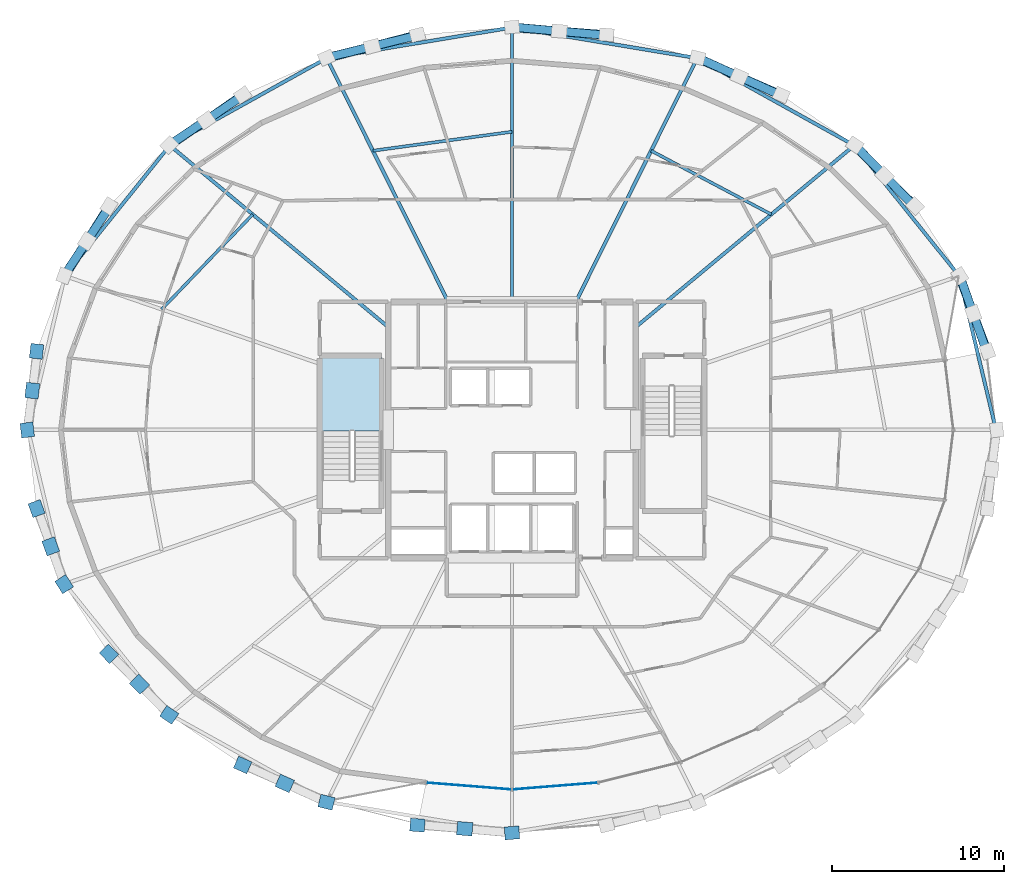
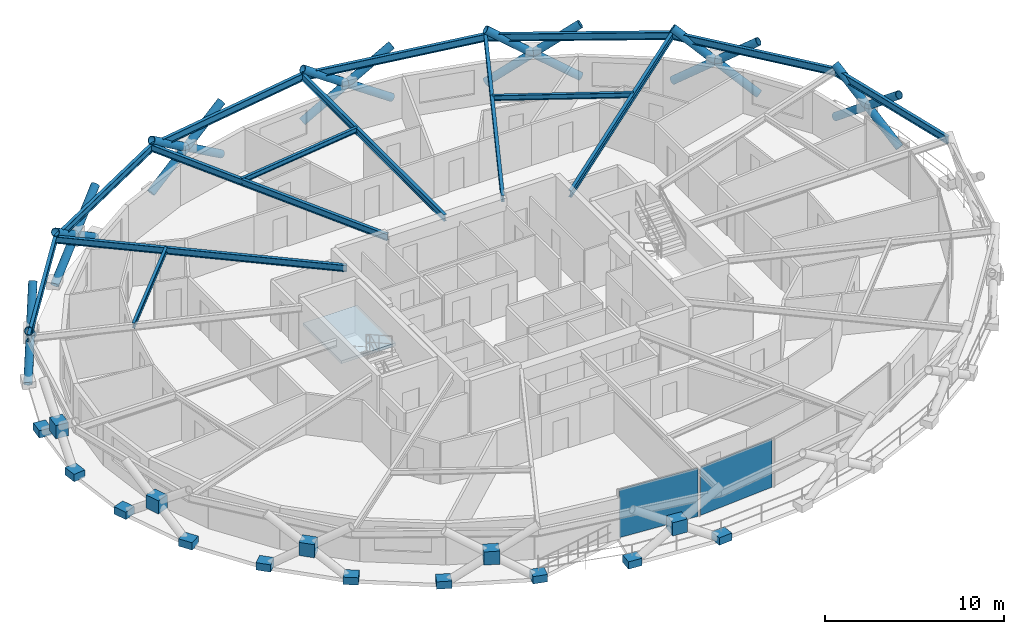
# One storey, part 12 of 19: 21 members, 17 plates, 15 beams, 1 slab, 2 elements without a shape of their own.
"""IFC4 building model written with IfcOpenShell, lengths in metres."""

from ifc_helpers import new_model, si_unit, direction, frame, origin, origin_2d, place, context, subcontext, project, spatial, polyline, rectangle, hollow_circle, i_section, outline, extrude, material, layer, layer_set, material_profile, profile_set, type_object, element, aggregate, save


model = new_model("IFC4")

# Units and contexts
model_context = context("Model", 3, precision=1e-05, world=origin(), true_north=direction((0.0, 1.0)))
body_context = subcontext(model_context, "Body", "Model", "MODEL_VIEW")
ifc_project = project(units=[si_unit("LENGTHUNIT", "METRE"), si_unit("AREAUNIT", "SQUARE_METRE"), si_unit("VOLUMEUNIT", "CUBIC_METRE"), si_unit("PLANEANGLEUNIT", "RADIAN"), si_unit("MASSUNIT", "GRAM", prefix="KILO")], contexts=[model_context])

# Site, building, storey
site_placement = place(None, origin())
site = spatial("IfcSite", under=ifc_project, at=site_placement, CompositionType="ELEMENT")
building_placement = place(site_placement, origin())
building = spatial("IfcBuilding", under=site, at=building_placement, Name="Veldorina Hangang Commons", CompositionType="ELEMENT")
storey_placement = place(building_placement, frame((0.0, 0.0, 160.39990234375)))
storey = spatial("IfcBuildingStorey", under=building, at=storey_placement, Name="L41", CompositionType="ELEMENT", Elevation=160.39990234375)

# Beams
ifc_material_1 = material(Name="Steel SM355-TMC", Category="steel")
ifc_material_profile_1 = material_profile(ifc_material_1, i_section(OverallWidth=0.199951171875, OverallDepth=0.449951171875, WebThickness=0.009033203125, FlangeThickness=0.013916015625, FilletRadius=0.01611328125, at=origin_2d()), Name="H-450x200x9x14")
ifc_profile_set_1 = profile_set([ifc_material_profile_1], Name="Steel SM355-TMC")
beam_type_1 = type_object("IfcBeamType", Name="BM-FG450", PredefinedType="BEAM", material=ifc_profile_set_1)
beam_1_placement = place(storey_placement, frame((39.199951171875, 29.986328125, 3.125), z_axis=(0.768935425867, 0.639326450921, 0.0), x_axis=(-0.639326450921, 0.768935425867, 0.0)))
element("IfcBeam", 1, at=beam_1_placement, inside=storey, type_object=beam_type_1, Name="L41 radial floor girder 03", PredefinedType="BEAM", context=body_context, shape_type="SweptSolid", body=[
    extrude(i_section(OverallWidth=0.199951171875, OverallDepth=0.449951171875, WebThickness=0.009033203125, FlangeThickness=0.013916015625, FilletRadius=0.01611328125, at=origin_2d()), origin(), (0.0, 0.0, 1.0), 16.521728515625),
])
beam_2_placement = place(storey_placement, frame((35.71142578125, 31.449951171875, 3.125), z_axis=(0.445924128042, 0.8950707637, 0.0), x_axis=(-0.8950707637, 0.445924128042, 0.0)))
element("IfcBeam", 2, at=beam_2_placement, inside=storey, type_object=beam_type_1, Name="L41 radial floor girder 04", PredefinedType="BEAM", context=body_context, shape_type="SweptSolid", body=[
    extrude(i_section(OverallWidth=0.199951171875, OverallDepth=0.449951171875, WebThickness=0.009033203125, FlangeThickness=0.013916015625, FilletRadius=0.01611328125, at=origin_2d()), origin(), (0.0, 0.0, 1.0), 15.833984375),
])
beam_3_placement = place(storey_placement, frame((32.0, 31.449951171875, 3.125), z_axis=(0.0, 1.0, 0.0), x_axis=(-1.0, 0.0, 0.0)))
element("IfcBeam", 3, at=beam_3_placement, inside=storey, type_object=beam_type_1, Name="L41 radial floor girder 05", PredefinedType="BEAM", context=body_context, shape_type="SweptSolid", body=[
    extrude(i_section(OverallWidth=0.199951171875, OverallDepth=0.449951171875, WebThickness=0.009033203125, FlangeThickness=0.013916015625, FilletRadius=0.01611328125, at=origin_2d()), origin(), (0.0, 0.0, 1.0), 15.9541015625),
])
beam_4_placement = place(storey_placement, frame((28.28857421875, 31.449951171875, 3.125), z_axis=(-0.445924128042, 0.8950707637, 0.0), x_axis=(-0.8950707637, -0.445924128042, 0.0)))
element("IfcBeam", 4, at=beam_4_placement, inside=storey, type_object=beam_type_1, Name="L41 radial floor girder 06", PredefinedType="BEAM", context=body_context, shape_type="SweptSolid", body=[
    extrude(i_section(OverallWidth=0.199951171875, OverallDepth=0.449951171875, WebThickness=0.009033203125, FlangeThickness=0.013916015625, FilletRadius=0.01611328125, at=origin_2d()), origin(), (0.0, 0.0, 1.0), 15.833984375),
])
beam_5_placement = place(storey_placement, frame((24.800048828125, 29.986328125, 3.125), z_axis=(-0.768935425867, 0.639326450921, 0.0), x_axis=(-0.639326450921, -0.768935425867, 0.0)))
element("IfcBeam", 5, at=beam_5_placement, inside=storey, type_object=beam_type_1, Name="L41 radial floor girder 07", PredefinedType="BEAM", context=body_context, shape_type="SweptSolid", body=[
    extrude(i_section(OverallWidth=0.199951171875, OverallDepth=0.449951171875, WebThickness=0.009033203125, FlangeThickness=0.013916015625, FilletRadius=0.01611328125, at=origin_2d()), origin(), (0.0, 0.0, 1.0), 16.521728515625),
])
ifc_material_profile_2 = material_profile(ifc_material_1, i_section(OverallWidth=0.175048828125, OverallDepth=0.35009765625, WebThickness=0.007080078125, FlangeThickness=0.010986328125, FilletRadius=0.012939453125, at=origin_2d()), Name="H-350x175x7x11")
ifc_profile_set_2 = profile_set([ifc_material_profile_2], Name="Steel SM355-TMC")
beam_type_2 = type_object("IfcBeamType", Name="BM-JST350", PredefinedType="JOIST", material=ifc_profile_set_2)
beam_6_placement = place(storey_placement, frame((47.076416015625, 36.535400390625, 3.175048828125), z_axis=(-0.883657203351, 0.468134539385, 0.0), x_axis=(-0.468134539385, -0.883657203351, 0.0)))
element("IfcBeam", 6, at=beam_6_placement, inside=storey, type_object=beam_type_2, Name="L41 secondary floor joist 03", PredefinedType="JOIST", context=body_context, shape_type="SweptSolid", body=[
    extrude(i_section(OverallWidth=0.175048828125, OverallDepth=0.35009765625, WebThickness=0.007080078125, FlangeThickness=0.010986328125, FilletRadius=0.012939453125, at=origin_2d()), origin(), (0.0, 0.0, 1.0), 7.9072265625),
])
beam_7_placement = place(storey_placement, frame((32.0, 41.341552734375, 3.175048828125), z_axis=(-0.990806678814, -0.135285347386, 0.0), x_axis=(0.135285347386, -0.990806678814, 0.0)))
element("IfcBeam", 7, at=beam_7_placement, inside=storey, type_object=beam_type_2, Name="L41 secondary floor joist 05", PredefinedType="JOIST", context=body_context, shape_type="SweptSolid", body=[
    extrude(i_section(OverallWidth=0.175048828125, OverallDepth=0.35009765625, WebThickness=0.007080078125, FlangeThickness=0.010986328125, FilletRadius=0.012939453125, at=origin_2d()), origin(), (0.0, 0.0, 1.0), 8.1640625),
])
beam_8_placement = place(storey_placement, frame((16.923583984375, 36.535400390625, 3.175048828125), z_axis=(-0.692337131341, -0.721574179532, 0.0), x_axis=(0.721574179532, -0.692337131341, 0.0)))
element("IfcBeam", 8, at=beam_8_placement, inside=storey, type_object=beam_type_2, Name="L41 secondary floor joist 07", PredefinedType="JOIST", context=body_context, shape_type="SweptSolid", body=[
    extrude(i_section(OverallWidth=0.175048828125, OverallDepth=0.35009765625, WebThickness=0.007080078125, FlangeThickness=0.010986328125, FilletRadius=0.012939453125, at=origin_2d()), origin(), (0.0, 0.0, 1.0), 7.64892578125),
])
ifc_material_2 = material(Name="Steel SM420-TMC", Category="steel")
ifc_material_profile_3 = material_profile(ifc_material_2, i_section(OverallWidth=0.199951171875, OverallDepth=0.5, WebThickness=0.010009765625, FlangeThickness=0.01611328125, FilletRadius=0.01611328125, at=origin_2d()), Name="H-500x200x10x16")
ifc_profile_set_3 = profile_set([ifc_material_profile_3], Name="Steel SM420-TMC")
beam_type_3 = type_object("IfcBeamType", Name="BM-RB500", PredefinedType="BEAM", material=ifc_profile_set_3)
beam_9_placement = place(storey_placement, frame((60.148681640625, 24.0, 3.10009765625), z_axis=(-0.232660981985, 0.972557899285, 0.0), x_axis=(-0.972557899285, -0.232660981985, 0.0)))
element("IfcBeam", 9, at=beam_9_placement, inside=storey, type_object=beam_type_3, Name="L41 perimeter hoop ring beam 00", PredefinedType="BEAM", context=body_context, shape_type="SweptSolid", body=[
    extrude(i_section(OverallWidth=0.199951171875, OverallDepth=0.5, WebThickness=0.010009765625, FlangeThickness=0.01611328125, FilletRadius=0.01611328125, at=origin_2d()), origin(), (0.0, 0.0, 1.0), 9.208984375),
])
beam_10_placement = place(storey_placement, frame((58.006103515625, 32.956298828125, 3.10009765625), z_axis=(-0.626435707691, 0.77947309391, 0.0), x_axis=(-0.77947309391, -0.626435707691, 0.0)))
element("IfcBeam", 10, at=beam_10_placement, inside=storey, type_object=beam_type_3, Name="L41 perimeter hoop ring beam 02", PredefinedType="BEAM", context=body_context, shape_type="SweptSolid", body=[
    extrude(i_section(OverallWidth=0.199951171875, OverallDepth=0.5, WebThickness=0.010009765625, FlangeThickness=0.01611328125, FilletRadius=0.01611328125, at=origin_2d()), origin(), (0.0, 0.0, 1.0), 9.740966796875),
])
beam_11_placement = place(storey_placement, frame((51.904052734375, 40.549072265625, 3.10009765625), z_axis=(-0.874147354533, 0.485660789609, 0.0), x_axis=(-0.485660789609, -0.874147354533, 0.0)))
element("IfcBeam", 11, at=beam_11_placement, inside=storey, type_object=beam_type_3, Name="L41 perimeter hoop ring beam 04", PredefinedType="BEAM", context=body_context, shape_type="SweptSolid", body=[
    extrude(i_section(OverallWidth=0.199951171875, OverallDepth=0.5, WebThickness=0.010009765625, FlangeThickness=0.01611328125, FilletRadius=0.01611328125, at=origin_2d()), origin(), (0.0, 0.0, 1.0), 10.446533203125),
])
for number, where, z_axis, x_axis, name in (
    (12, (42.772216796875, 45.62255859375, 3.10009765625), (-0.986599225336, 0.163162399367, 0.0), (-0.163162399367, -0.986599225336, 0.0), "L41 perimeter hoop ring beam 06"),
    (13, (32.0, 47.404052734375, 3.10009765625), (-0.986599225336, -0.163162399367, 0.0), (0.163162399367, -0.986599225336, 0.0), "L41 perimeter hoop ring beam 08"),
):
    element("IfcBeam", number, at=place(storey_placement, frame(where, z_axis=z_axis, x_axis=x_axis)), inside=storey, type_object=beam_type_3, Name=name, PredefinedType="BEAM", context=body_context, shape_type="SweptSolid", body=[
        extrude(i_section(OverallWidth=0.199951171875, OverallDepth=0.5, WebThickness=0.010009765625, FlangeThickness=0.01611328125, FilletRadius=0.01611328125, at=origin_2d()), origin(), (0.0, 0.0, 1.0), 10.91845703125),
    ])
beam_12_placement = place(storey_placement, frame((21.227783203125, 45.62255859375, 3.10009765625), z_axis=(-0.874147354533, -0.485660789609, 0.0), x_axis=(0.485660789609, -0.874147354533, 0.0)))
element("IfcBeam", 14, at=beam_12_placement, inside=storey, type_object=beam_type_3, Name="L41 perimeter hoop ring beam 10", PredefinedType="BEAM", context=body_context, shape_type="SweptSolid", body=[
    extrude(i_section(OverallWidth=0.199951171875, OverallDepth=0.5, WebThickness=0.010009765625, FlangeThickness=0.01611328125, FilletRadius=0.01611328125, at=origin_2d()), origin(), (0.0, 0.0, 1.0), 10.446533203125),
])
beam_13_placement = place(storey_placement, frame((12.095947265625, 40.549072265625, 3.10009765625), z_axis=(-0.626435707691, -0.77947309391, 0.0), x_axis=(0.77947309391, -0.626435707691, 0.0)))
element("IfcBeam", 15, at=beam_13_placement, inside=storey, type_object=beam_type_3, Name="L41 perimeter hoop ring beam 12", PredefinedType="BEAM", context=body_context, shape_type="SweptSolid", body=[
    extrude(i_section(OverallWidth=0.199951171875, OverallDepth=0.5, WebThickness=0.010009765625, FlangeThickness=0.01611328125, FilletRadius=0.01611328125, at=origin_2d()), origin(), (0.0, 0.0, 1.0), 9.740966796875),
])

# Members
ifc_material_profile_4 = material_profile(ifc_material_2, hollow_circle(Radius=0.25, WallThickness=0.02490234375, at=origin_2d()), Name="CHS-500x25")
ifc_profile_set_4 = profile_set([ifc_material_profile_4], Name="Steel SM420-TMC")
member_type = type_object("IfcMemberType", Name="DG-CHS500", PredefinedType="BRACE", material=ifc_profile_set_4)
member_1_placement = place(storey_placement, frame((59.647216796875, 28.5712890625, 0.0), z_axis=(-0.278879607362, 0.742108265981, 0.609509217453), x_axis=(-0.936084688296, -0.351774723846, 0.0)))
element("IfcMember", 16, at=member_1_placement, inside=storey, type_object=member_type, Name="L41 continuous perimeter diagrid brace 01", PredefinedType="BRACE", context=body_context, shape_type="SweptSolid", body=[
    extrude(hollow_circle(Radius=0.25, WallThickness=0.02490234375, at=origin_2d()), origin(), (0.0, 0.0, 1.0), 5.906494140625),
])
member_2_placement = place(storey_placement, frame((58.043212890625, 32.967041015625, 0.0), z_axis=(0.264310422267, -0.74650730096, 0.6106282423), x_axis=(0.94265805007, 0.333760094438, 0.0)))
element("IfcMember", 17, at=member_2_placement, inside=storey, type_object=member_type, Name="L41 split perimeter diagrid lower brace 02", PredefinedType="BRACE", context=body_context, shape_type="SweptSolid", body=[
    extrude(hollow_circle(Radius=0.25, WallThickness=0.02490234375, at=origin_2d()), origin(), (0.0, 0.0, 1.0), 2.9501953125),
])
member_3_placement = place(storey_placement, frame((58.822998046875, 30.7646484375, 1.801513671875), z_axis=(0.264265374388, -0.746638765517, 0.610486990629), x_axis=(0.942694429166, 0.333657329036, 0.0)))
element("IfcMember", 18, at=member_3_placement, inside=storey, type_object=member_type, Name="L41 split perimeter diagrid upper brace 02", PredefinedType="BRACE", context=body_context, shape_type="SweptSolid", body=[
    extrude(hollow_circle(Radius=0.25, WallThickness=0.02490234375, at=origin_2d()), origin(), (0.0, 0.0, 1.0), 2.946044921875),
])
member_4_placement = place(storey_placement, frame((55.43798828125, 37.018310546875, 0.0), z_axis=(-0.574591623862, 0.57280767029, 0.584581763866), x_axis=(-0.706006532316, -0.708205320741, 0.0)))
element("IfcMember", 19, at=member_4_placement, inside=storey, type_object=member_type, Name="L41 continuous perimeter diagrid brace 03", PredefinedType="BRACE", context=body_context, shape_type="SweptSolid", body=[
    extrude(hollow_circle(Radius=0.25, WallThickness=0.02490234375, at=origin_2d()), origin(), (0.0, 0.0, 1.0), 6.158447265625),
])
member_5_placement = place(storey_placement, frame((51.9326171875, 40.569091796875, 0.0), z_axis=(0.564538426658, -0.581063052712, 0.586226998354), x_axis=(0.717231768657, 0.696834693475, 0.0)))
element("IfcMember", 20, at=member_5_placement, inside=storey, type_object=member_type, Name="L41 split perimeter diagrid lower brace 04", PredefinedType="BRACE", context=body_context, shape_type="SweptSolid", body=[
    extrude(hollow_circle(Radius=0.25, WallThickness=0.02490234375, at=origin_2d()), origin(), (0.0, 0.0, 1.0), 3.072998046875),
])
member_6_placement = place(storey_placement, frame((53.66748046875, 38.783447265625, 1.801513671875), z_axis=(0.564438807334, -0.581227162049, 0.586160233103), x_axis=(0.717391559341, 0.696670187812, 0.0)))
element("IfcMember", 21, at=member_6_placement, inside=storey, type_object=member_type, Name="L41 split perimeter diagrid upper brace 04", PredefinedType="BRACE", context=body_context, shape_type="SweptSolid", body=[
    extrude(hollow_circle(Radius=0.25, WallThickness=0.02490234375, at=origin_2d()), origin(), (0.0, 0.0, 1.0), 3.068359375),
])
member_7_placement = place(storey_placement, frame((47.660888671875, 43.483154296875, 0.0), z_axis=(-0.75978599578, 0.331673986478, 0.559211594399), x_axis=(-0.400077199672, -0.916481442422, 0.0)))
element("IfcMember", 22, at=member_7_placement, inside=storey, type_object=member_type, Name="L41 continuous perimeter diagrid brace 05", PredefinedType="BRACE", context=body_context, shape_type="SweptSolid", body=[
    extrude(hollow_circle(Radius=0.25, WallThickness=0.02490234375, at=origin_2d()), origin(), (0.0, 0.0, 1.0), 6.437744140625),
])
member_8_placement = place(storey_placement, frame((42.787353515625, 45.6484375, 0.0), z_axis=(0.754666314547, -0.341221269121, 0.560398785855), x_axis=(0.411992063943, 0.911187433653, 0.0)))
element("IfcMember", 23, at=member_8_placement, inside=storey, type_object=member_type, Name="L41 split perimeter diagrid lower brace 06", PredefinedType="BRACE", context=body_context, shape_type="SweptSolid", body=[
    extrude(hollow_circle(Radius=0.25, WallThickness=0.02490234375, at=origin_2d()), origin(), (0.0, 0.0, 1.0), 3.214599609375),
])
member_9_placement = place(storey_placement, frame((45.21337890625, 44.551513671875, 1.801513671875), z_axis=(0.754580448021, -0.341345142683, 0.560438971728), x_axis=(0.412155161351, 0.911113671817, 0.0)))
element("IfcMember", 24, at=member_9_placement, inside=storey, type_object=member_type, Name="L41 split perimeter diagrid upper brace 06", PredefinedType="BRACE", context=body_context, shape_type="SweptSolid", body=[
    extrude(hollow_circle(Radius=0.25, WallThickness=0.02490234375, at=origin_2d()), origin(), (0.0, 0.0, 1.0), 3.209228515625),
])
member_10_placement = place(storey_placement, frame((37.49951171875, 46.98193359375, 0.0), z_axis=(-0.834989951369, 0.063385990271, 0.546602229552), x_axis=(-0.075694491111, -0.99713105659, 0.0)))
element("IfcMember", 25, at=member_10_placement, inside=storey, type_object=member_type, Name="L41 continuous perimeter diagrid brace 07", PredefinedType="BRACE", context=body_context, shape_type="SweptSolid", body=[
    extrude(hollow_circle(Radius=0.25, WallThickness=0.02490234375, at=origin_2d()), origin(), (0.0, 0.0, 1.0), 6.58642578125),
])
member_11_placement = place(storey_placement, frame((32.0, 47.43212890625, 0.0), z_axis=(0.834000030127, -0.073224209523, 0.54688405068), x_axis=(0.087462348891, 0.996167825984, 0.0)))
element("IfcMember", 26, at=member_11_placement, inside=storey, type_object=member_type, Name="L41 split perimeter diagrid lower brace 08", PredefinedType="BRACE", context=body_context, shape_type="SweptSolid", body=[
    extrude(hollow_circle(Radius=0.25, WallThickness=0.02490234375, at=origin_2d()), origin(), (0.0, 0.0, 1.0), 3.294189453125),
])
member_12_placement = place(storey_placement, frame((34.747314453125, 47.19091796875, 1.801513671875), z_axis=(0.834004059638, -0.073267646361, 0.546872087882), x_axis=(0.087513415014, 0.996163341121, 0.0)))
element("IfcMember", 27, at=member_12_placement, inside=storey, type_object=member_type, Name="L41 split perimeter diagrid upper brace 08", PredefinedType="BRACE", context=body_context, shape_type="SweptSolid", body=[
    extrude(hollow_circle(Radius=0.25, WallThickness=0.02490234375, at=origin_2d()), origin(), (0.0, 0.0, 1.0), 3.288818359375),
])
member_13_placement = place(storey_placement, frame((26.50048828125, 46.98193359375, 0.0), z_axis=(-0.807500976432, -0.208926755924, 0.55162648932), x_axis=(0.250484291114, -0.968120663918, 0.0)))
element("IfcMember", 28, at=member_13_placement, inside=storey, type_object=member_type, Name="L41 continuous perimeter diagrid brace 09", PredefinedType="BRACE", context=body_context, shape_type="SweptSolid", body=[
    extrude(hollow_circle(Radius=0.25, WallThickness=0.02490234375, at=origin_2d()), origin(), (0.0, 0.0, 1.0), 6.5263671875),
])
member_14_placement = place(storey_placement, frame((21.212646484375, 45.6484375, 0.0), z_axis=(0.810501575513, 0.199098065939, 0.550860378163), x_axis=(-0.238555814521, 0.971128788245, 0.0)))
element("IfcMember", 29, at=member_14_placement, inside=storey, type_object=member_type, Name="L41 split perimeter diagrid lower brace 10", PredefinedType="BRACE", context=body_context, shape_type="SweptSolid", body=[
    extrude(hollow_circle(Radius=0.25, WallThickness=0.02490234375, at=origin_2d()), origin(), (0.0, 0.0, 1.0), 3.270263671875),
])
member_15_placement = place(storey_placement, frame((23.86328125, 46.299560546875, 1.801513671875), z_axis=(0.810502267587, 0.19918616613, 0.550827509715), x_axis=(-0.238655171382, 0.971104376044, 0.0)))
element("IfcMember", 30, at=member_15_placement, inside=storey, type_object=member_type, Name="L41 split perimeter diagrid upper brace 10", PredefinedType="BRACE", context=body_context, shape_type="SweptSolid", body=[
    extrude(hollow_circle(Radius=0.25, WallThickness=0.02490234375, at=origin_2d()), origin(), (0.0, 0.0, 1.0), 3.26513671875),
])
member_16_placement = place(storey_placement, frame((16.339111328125, 43.483154296875, 0.0), z_axis=(-0.673943637886, -0.467036225299, 0.572430901692), x_axis=(0.569589044661, -0.821929632147, 0.0)))
element("IfcMember", 31, at=member_16_placement, inside=storey, type_object=member_type, Name="L41 continuous perimeter diagrid brace 11", PredefinedType="BRACE", context=body_context, shape_type="SweptSolid", body=[
    extrude(hollow_circle(Radius=0.25, WallThickness=0.02490234375, at=origin_2d()), origin(), (0.0, 0.0, 1.0), 6.2890625),
])
member_17_placement = place(storey_placement, frame((12.0673828125, 40.569091796875, 0.0), z_axis=(0.681564620315, 0.457729174002, 0.570923525179), x_axis=(-0.557524195862, 0.830160689884, 0.0)))
element("IfcMember", 32, at=member_17_placement, inside=storey, type_object=member_type, Name="L41 split perimeter diagrid lower brace 12", PredefinedType="BRACE", context=body_context, shape_type="SweptSolid", body=[
    extrude(hollow_circle(Radius=0.25, WallThickness=0.02490234375, at=origin_2d()), origin(), (0.0, 0.0, 1.0), 3.155517578125),
])
member_18_placement = place(storey_placement, frame((14.218017578125, 42.013427734375, 1.801513671875), z_axis=(0.681473258836, 0.457906013926, 0.570890777558), x_axis=(-0.55772412154, 0.830026387684, 0.0)))
element("IfcMember", 33, at=member_18_placement, inside=storey, type_object=member_type, Name="L41 split perimeter diagrid upper brace 12", PredefinedType="BRACE", context=body_context, shape_type="SweptSolid", body=[
    extrude(hollow_circle(Radius=0.25, WallThickness=0.02490234375, at=origin_2d()), origin(), (0.0, 0.0, 1.0), 3.150390625),
])
member_19_placement = place(storey_placement, frame((8.56201171875, 37.018310546875, 0.0), z_axis=(-0.426774204583, -0.676925541765, 0.599696247453), x_axis=(0.845916132597, -0.533315944456, 0.0)))
element("IfcMember", 34, at=member_19_placement, inside=storey, type_object=member_type, Name="L41 continuous perimeter diagrid brace 13", PredefinedType="BRACE", context=body_context, shape_type="SweptSolid", body=[
    extrude(hollow_circle(Radius=0.25, WallThickness=0.02490234375, at=origin_2d()), origin(), (0.0, 0.0, 1.0), 6.003173828125),
])
member_20_placement = place(storey_placement, frame((5.956787109375, 32.967041015625, 0.0), z_axis=(0.439423126864, 0.670079731279, 0.59824783268), x_axis=(-0.836229155314, 0.548380159928, 0.0)))
element("IfcMember", 35, at=member_20_placement, inside=storey, type_object=member_type, Name="L41 split perimeter diagrid lower brace 14", PredefinedType="BRACE", context=body_context, shape_type="SweptSolid", body=[
    extrude(hollow_circle(Radius=0.25, WallThickness=0.02490234375, at=origin_2d()), origin(), (0.0, 0.0, 1.0), 3.01123046875),
])
member_21_placement = place(storey_placement, frame((7.280029296875, 34.98486328125, 1.801513671875), z_axis=(0.439221532963, 0.670241178236, 0.598215018181), x_axis=(-0.836405063102, 0.548111822913, 0.0)))
element("IfcMember", 36, at=member_21_placement, inside=storey, type_object=member_type, Name="L41 split perimeter diagrid upper brace 14", PredefinedType="BRACE", context=body_context, shape_type="SweptSolid", body=[
    extrude(hollow_circle(Radius=0.25, WallThickness=0.02490234375, at=origin_2d()), origin(), (0.0, 0.0, 1.0), 3.006591796875),
])

# Curtain wall, plates
ifc_material_3 = material(Name="Glass Low-E Triple IGU", Category="glass")
ifc_layer_1 = layer(ifc_material_3, 0.179931640625)
ifc_layer_set_1 = layer_set([ifc_layer_1], Name="Glass Low-E Triple IGU")
curtain_wall_type = type_object("IfcCurtainWallType", Name="CW-SYS-Z2", PredefinedType="NOTDEFINED", material=ifc_layer_set_1)
curtain_wall_placement = place(storey_placement, origin())
curtain_wall = element("IfcCurtainWall", 37, at=curtain_wall_placement, inside=storey, type_object=curtain_wall_type, Name="L41 unitised curtain wall CW-L41-R1", PredefinedType="NOTDEFINED")
ifc_layer_2 = layer(ifc_material_3, 0.0400390625)
ifc_layer_set_2 = layer_set([ifc_layer_2], Name="Glass Low-E Triple IGU")
plate_type_1 = type_object("IfcPlateType", Name="CW-PNL-VIS", PredefinedType="CURTAIN_PANEL", material=ifc_layer_set_2)
plate_1_placement = place(storey_placement, frame((29.49609375, 3.288818359375, 0.01513671875), z_axis=(0.0, 0.0, 1.0), x_axis=(0.996797049358, -0.079972760313, 0.0)))
plate_1 = element("IfcPlate", 38, at=plate_1_placement, type_object=plate_type_1, Name="CW-L41-R1 facet 1 glazed vision panel", PredefinedType="CURTAIN_PANEL", context=body_context, shape_type="SweptSolid", body=[
    extrude(rectangle(XDim=4.84375, YDim=0.0400390625, at=origin_2d()), origin(), (0.0, 0.0, 1.0), 3.280029296875),
])
plate_2_placement = place(storey_placement, frame((34.50390625, 3.288818359375, 0.01513671875), z_axis=(0.0, 0.0, 1.0), x_axis=(0.996797049358, 0.079972760313, 0.0)))
plate_2 = element("IfcPlate", 39, at=plate_2_placement, type_object=plate_type_1, Name="CW-L41-R1 facet 2 glazed vision panel", PredefinedType="CURTAIN_PANEL", context=body_context, shape_type="SweptSolid", body=[
    extrude(rectangle(XDim=4.84375, YDim=0.0400390625, at=origin_2d()), origin(), (0.0, 0.0, 1.0), 3.280029296875),
])
aggregate(curtain_wall, [plate_1, plate_2])

# Plates
ifc_material_4 = material(Name="Steel SM460-TMC", Category="steel")
ifc_layer_3 = layer(ifc_material_4, 0.035888671875)
ifc_layer_set_3 = layer_set([ifc_layer_3], Name="Steel SM460-TMC")
plate_type_2 = type_object("IfcPlateType", Name="PL-STAR-36", PredefinedType="USERDEFINED", material=ifc_layer_set_3)
plate_3_placement = place(storey_placement, frame((4.352783203125, 28.5712890625, -0.08984375), z_axis=(0.0, 0.0, 1.0), x_axis=(-0.11765872278, -0.993054089642, 0.0)))
element("IfcPlate", 40, at=plate_3_placement, inside=storey, type_object=plate_type_2, Name="L41 diagrid star-node gusset plate 15", ObjectType="GUSSET PLATE", PredefinedType="USERDEFINED", context=body_context, shape_type="SweptSolid", body=[
    extrude(rectangle(XDim=0.85009765625, YDim=0.75, at=origin_2d()), origin(), (0.0, 0.0, 1.0), 0.5),
])
plate_4_placement = place(storey_placement, frame((4.10498046875, 26.2841796875, 1.3515625), z_axis=(0.0, 0.0, 1.0), x_axis=(-0.11765872278, -0.993054089642, 0.0)))
element("IfcPlate", 41, at=plate_4_placement, inside=storey, type_object=plate_type_2, Name="L41 diagrid X-crossing star-node gusset plate 15", ObjectType="GUSSET PLATE", PredefinedType="USERDEFINED", context=body_context, shape_type="SweptSolid", body=[
    extrude(rectangle(XDim=0.89990234375, YDim=0.780029296875, at=origin_2d()), origin(), (0.0, 0.0, 1.0), 0.89990234375),
])
for number, where, z_axis, x_axis, name in (
    (42, (3.811279296875, 24.0, -0.08984375), (0.0, 0.0, 1.0), (0.11765872278, -0.993054089642, 0.0), "L41 diagrid star-node gusset plate 16"),
    (43, (4.352783203125, 19.4287109375, -0.08984375), (0.0, 0.0, 1.0), (0.342807258261, -0.939405760938, 0.0), "L41 diagrid star-node gusset plate 17"),
):
    element("IfcPlate", number, at=place(storey_placement, frame(where, z_axis=z_axis, x_axis=x_axis)), inside=storey, type_object=plate_type_2, Name=name, ObjectType="GUSSET PLATE", PredefinedType="USERDEFINED", context=body_context, shape_type="SweptSolid", body=[
        extrude(rectangle(XDim=0.85009765625, YDim=0.75, at=origin_2d()), origin(), (0.0, 0.0, 1.0), 0.5),
    ])
plate_5_placement = place(storey_placement, frame((5.177001953125, 17.2353515625, 1.3515625), z_axis=(0.0, 0.0, 1.0), x_axis=(0.342807258261, -0.939405760938, 0.0)))
element("IfcPlate", 44, at=plate_5_placement, inside=storey, type_object=plate_type_2, Name="L41 diagrid X-crossing star-node gusset plate 17", ObjectType="GUSSET PLATE", PredefinedType="USERDEFINED", context=body_context, shape_type="SweptSolid", body=[
    extrude(rectangle(XDim=0.89990234375, YDim=0.780029296875, at=origin_2d()), origin(), (0.0, 0.0, 1.0), 0.89990234375),
])
for number, where, z_axis, x_axis, name in (
    (45, (5.956787109375, 15.032958984375, -0.08984375), (0.0, 0.0, 1.0), (0.540857034896, -0.841114539051, 0.0), "L41 diagrid star-node gusset plate 18"),
    (46, (8.56201171875, 10.981689453125, -0.08984375), (0.0, 0.0, 1.0), (0.702550613827, -0.711633778717, 0.0), "L41 diagrid star-node gusset plate 19"),
):
    element("IfcPlate", number, at=place(storey_placement, frame(where, z_axis=z_axis, x_axis=x_axis)), inside=storey, type_object=plate_type_2, Name=name, ObjectType="GUSSET PLATE", PredefinedType="USERDEFINED", context=body_context, shape_type="SweptSolid", body=[
        extrude(rectangle(XDim=0.85009765625, YDim=0.75, at=origin_2d()), origin(), (0.0, 0.0, 1.0), 0.5),
    ])
plate_6_placement = place(storey_placement, frame((10.33251953125, 9.216552734375, 1.3515625), z_axis=(0.0, 0.0, 1.0), x_axis=(0.702550613827, -0.711633778717, 0.0)))
element("IfcPlate", 47, at=plate_6_placement, inside=storey, type_object=plate_type_2, Name="L41 diagrid X-crossing star-node gusset plate 19", ObjectType="GUSSET PLATE", PredefinedType="USERDEFINED", context=body_context, shape_type="SweptSolid", body=[
    extrude(rectangle(XDim=0.89990234375, YDim=0.780029296875, at=origin_2d()), origin(), (0.0, 0.0, 1.0), 0.89990234375),
])
for number, where, z_axis, x_axis, name in (
    (48, (12.0673828125, 7.430908203125, -0.08984375), (0.0, 0.0, 1.0), (0.826078623223, -0.563554884865, 0.0), "L41 diagrid star-node gusset plate 20"),
    (49, (16.339111328125, 4.516845703125, -0.08984375), (0.0, 0.0, 1.0), (0.913857539554, -0.406034970662, 0.0), "L41 diagrid star-node gusset plate 21"),
):
    element("IfcPlate", number, at=place(storey_placement, frame(where, z_axis=z_axis, x_axis=x_axis)), inside=storey, type_object=plate_type_2, Name=name, ObjectType="GUSSET PLATE", PredefinedType="USERDEFINED", context=body_context, shape_type="SweptSolid", body=[
        extrude(rectangle(XDim=0.85009765625, YDim=0.75, at=origin_2d()), origin(), (0.0, 0.0, 1.0), 0.5),
    ])
plate_7_placement = place(storey_placement, frame((18.78662109375, 3.448486328125, 1.3515625), z_axis=(0.0, 0.0, 1.0), x_axis=(0.913857539554, -0.406034970662, 0.0)))
element("IfcPlate", 50, at=plate_7_placement, inside=storey, type_object=plate_type_2, Name="L41 diagrid X-crossing star-node gusset plate 21", ObjectType="GUSSET PLATE", PredefinedType="USERDEFINED", context=body_context, shape_type="SweptSolid", body=[
    extrude(rectangle(XDim=0.89990234375, YDim=0.780029296875, at=origin_2d()), origin(), (0.0, 0.0, 1.0), 0.89990234375),
])
for number, where, z_axis, x_axis, name in (
    (51, (21.212646484375, 2.3515625, -0.08984375), (0.0, 0.0, 1.0), (0.969646250516, -0.24451206281, 0.0), "L41 diagrid star-node gusset plate 22"),
    (52, (26.50048828125, 1.01806640625, -0.08984375), (0.0, 0.0, 1.0), (0.996665928034, -0.081590611568, 0.0), "L41 diagrid star-node gusset plate 23"),
):
    element("IfcPlate", number, at=place(storey_placement, frame(where, z_axis=z_axis, x_axis=x_axis)), inside=storey, type_object=plate_type_2, Name=name, ObjectType="GUSSET PLATE", PredefinedType="USERDEFINED", context=body_context, shape_type="SweptSolid", body=[
        extrude(rectangle(XDim=0.85009765625, YDim=0.75, at=origin_2d()), origin(), (0.0, 0.0, 1.0), 0.5),
    ])
plate_8_placement = place(storey_placement, frame((29.252685546875, 0.80908203125, 1.3515625), z_axis=(0.0, 0.0, 1.0), x_axis=(0.996665928034, -0.081590611568, 0.0)))
element("IfcPlate", 53, at=plate_8_placement, inside=storey, type_object=plate_type_2, Name="L41 diagrid X-crossing star-node gusset plate 23", ObjectType="GUSSET PLATE", PredefinedType="USERDEFINED", context=body_context, shape_type="SweptSolid", body=[
    extrude(rectangle(XDim=0.89990234375, YDim=0.780029296875, at=origin_2d()), origin(), (0.0, 0.0, 1.0), 0.89990234375),
])
plate_9_placement = place(storey_placement, frame((32.0, 0.56787109375, -0.08984375), z_axis=(0.0, 0.0, 1.0), x_axis=(0.996665928034, 0.081590611568, 0.0)))
element("IfcPlate", 54, at=plate_9_placement, inside=storey, type_object=plate_type_2, Name="L41 diagrid star-node gusset plate 24", ObjectType="GUSSET PLATE", PredefinedType="USERDEFINED", context=body_context, shape_type="SweptSolid", body=[
    extrude(rectangle(XDim=0.85009765625, YDim=0.75, at=origin_2d()), origin(), (0.0, 0.0, 1.0), 0.5),
])

# Stair, slab
ifc_material_5 = material(Name="Concrete C40/50", Category="concrete")
stair_type = type_object("IfcStairType", Name="STR-DOG-1650-20R", PredefinedType="HALF_TURN_STAIR", material=ifc_material_5)
stair_placement = place(storey_placement, origin())
stair = element("IfcStair", 55, at=stair_placement, inside=storey, type_object=stair_type, Name="L41 Exit stair ST-1", PredefinedType="HALF_TURN_STAIR")
ifc_layer_4 = layer(ifc_material_5, 0.199951171875)
ifc_layer_set_4 = layer_set([ifc_layer_4], Name="Concrete C40/50")
slab_type = type_object("IfcSlabType", Name="SL-LND-200", PredefinedType="LANDING", material=ifc_layer_set_4)
slab_placement = place(storey_placement, frame((0.0, 0.0, 1.60009765625)))
slab = element("IfcSlab", 56, at=slab_placement, type_object=slab_type, Name="ST-1 landing 1", PredefinedType="LANDING", context=body_context, shape_type="SweptSolid", body=[
    extrude(outline(polyline([(24.449951171875, 23.929931640625), (24.449951171875, 28.199951171875), (20.949951171875, 28.199951171875), (20.949951171875, 23.929931640625), (24.449951171875, 23.929931640625)])), origin(), (0.0, 0.0, 1.0), 0.199951171875),
])
aggregate(stair, [slab])

save(model, "model.ifc")
